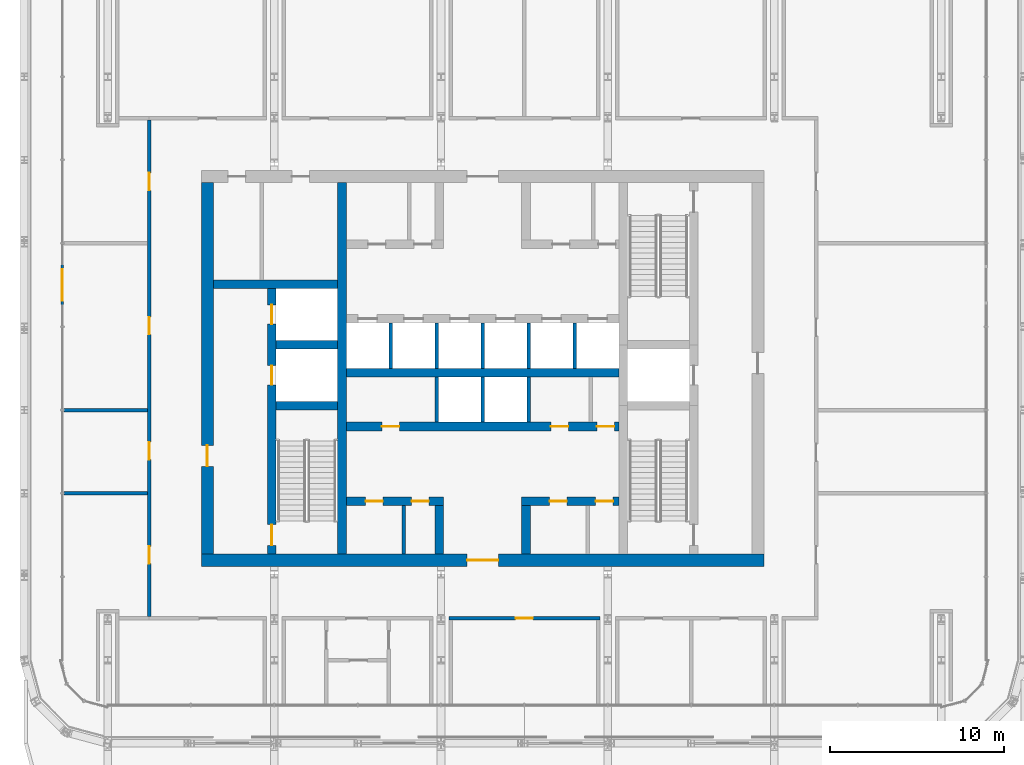
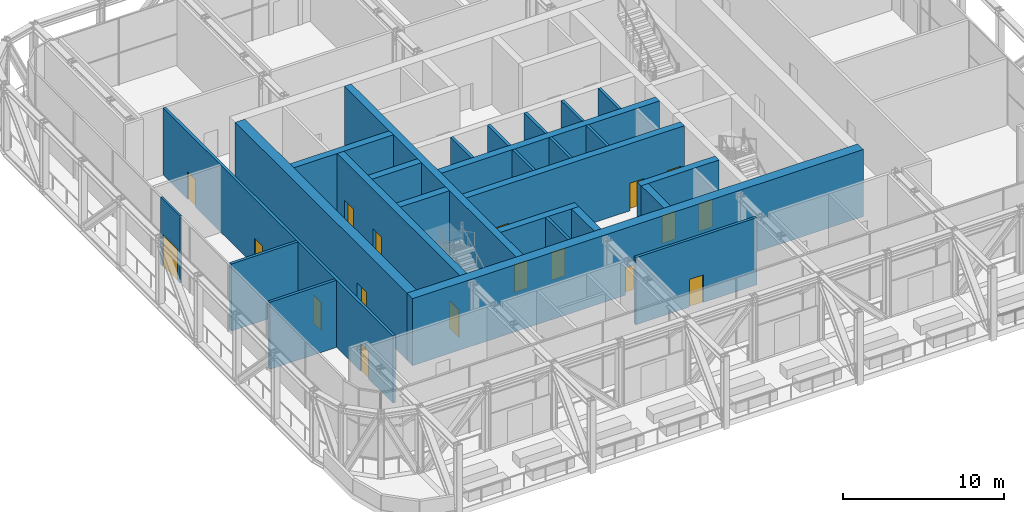
# One storey, part 14 of 22: 27 walls, 18 doors, 18 openings.
"""IFC4 building model written with IfcOpenShell, lengths in metres."""

import ifcopenshell
import ifcopenshell.guid

model = None  # the IFC model being written
_history = None  # IfcOwnerHistory: only IFC2X3 demands one
_inside = {}  # id of a spatial element -> (the spatial element, [elements in it])
_under = {}  # id of a project, library or spatial element -> (it, [spatial elements below it])
_declared = {}  # id of a project -> (the project, [libraries it declares])
_typed = {}  # id of a type object -> (the type object, [elements of that type])
_made_of = {}  # id of a material, layer set ... -> (it, [elements and type objects made of it])


def new_model(schema):
    """Start an empty IFC model of exactly this schema.

    Asked for "IFC4X3", IfcOpenShell would pick the latest addendum, in which some entities
    have other attributes; the version numbers below select the first issue.
    IFC2X3 requires an IfcOwnerHistory on every rooted entity: one is made here for all.
    """
    global model, _history
    if schema == "IFC4X3":
        model = ifcopenshell.file(schema_version=(4, 3, 0, 0))
    else:
        model = ifcopenshell.file(schema=schema)
    _inside.clear()
    _under.clear()
    _declared.clear()
    _typed.clear()
    _made_of.clear()
    _history = None
    if model.schema == "IFC2X3":
        org = make("IfcOrganization", Name="unknown")
        user = make(
            "IfcPersonAndOrganization",
            ThePerson=make("IfcPerson", FamilyName="unknown"),
            TheOrganization=org,
        )
        app = make(
            "IfcApplication",
            ApplicationDeveloper=org,
            Version="unknown",
            ApplicationFullName="unknown",
            ApplicationIdentifier="unknown",
        )
        _history = make(
            "IfcOwnerHistory",
            OwningUser=user,
            OwningApplication=app,
            ChangeAction="ADDED",
            CreationDate=0,
        )
    return model


def make(cls, **values):
    """One entity of the class cls with the attributes given. An attribute that is None is left unset."""
    return model.create_entity(
        cls, **{name: value for name, value in values.items() if value is not None}
    )


def rooted(cls, **values):
    """An entity with a GlobalId (a new one), such as an element, a storey or a relation."""
    return make(cls, GlobalId=ifcopenshell.guid.new(), OwnerHistory=_history, **values)


def si_unit(unit_type, name, prefix=None):
    """IfcSIUnit, for example si_unit("LENGTHUNIT", "METRE", prefix="MILLI")."""
    return make("IfcSIUnit", UnitType=unit_type, Prefix=prefix, Name=name)


def assignment(units):
    """IfcUnitAssignment: the units of a project."""
    return None if units is None else make("IfcUnitAssignment", Units=units)


def point(xyz):
    """IfcCartesianPoint."""
    return None if xyz is None else make("IfcCartesianPoint", Coordinates=xyz)


def direction(xyz):
    """IfcDirection."""
    return None if xyz is None else make("IfcDirection", DirectionRatios=xyz)


def frame(location, z_axis=None, x_axis=None):
    """IfcAxis2Placement3D, a coordinate frame: its origin and axes. An axis left out is left unset."""
    return make(
        "IfcAxis2Placement3D",
        Location=point(location),
        Axis=direction(z_axis),
        RefDirection=direction(x_axis),
    )


def frame_2d(location, x_axis=None):
    """IfcAxis2Placement2D, a coordinate frame in the plane: its origin and x axis."""
    return make(
        "IfcAxis2Placement2D", Location=point(location), RefDirection=direction(x_axis)
    )


def origin():
    """The frame at (0, 0, 0) with its axes left unset."""
    return frame((0.0, 0.0, 0.0))


def place(relative_to, where):
    """IfcLocalPlacement: puts the frame where relative to a parent placement (None: the world)."""
    return make(
        "IfcLocalPlacement", PlacementRelTo=relative_to, RelativePlacement=where
    )


def context(
    kind, dimensions, precision=None, world=None, true_north=None, identifier=None
):
    """IfcGeometricRepresentationContext, for example the 3D "Model" context."""
    return make(
        "IfcGeometricRepresentationContext",
        ContextIdentifier=identifier,
        ContextType=kind,
        CoordinateSpaceDimension=dimensions,
        Precision=precision,
        WorldCoordinateSystem=world,
        TrueNorth=true_north,
    )


def subcontext(parent, identifier, kind, view, scale=None):
    """IfcGeometricRepresentationSubContext, for example "Body" below "Model"."""
    return make(
        "IfcGeometricRepresentationSubContext",
        ContextIdentifier=identifier,
        ContextType=kind,
        ParentContext=parent,
        TargetScale=scale,
        TargetView=view,
    )


def project(units=None, contexts=None):
    """IfcProject with its units and contexts."""
    return rooted(
        "IfcProject",
        Name="project",
        RepresentationContexts=contexts,
        UnitsInContext=assignment(units),
    )


def spatial(cls, under=None, at=None, **own):
    """A site, building, storey or space (cls), placed at a placement, below another one or the project."""
    s = rooted(cls, ObjectPlacement=at, **own)
    if under is not None:
        _under.setdefault(under.id(), (under, []))[1].append(s)
    return s


def profile(cls, at=None, kind="AREA", **sizes):
    """A parametric profile (cls). Its sizes go by their IFC names, for example OverallWidth=200.0."""
    return make(cls, ProfileType=kind, Position=at, **sizes)


def rectangle(**sizes):
    """IfcRectangleProfileDef."""
    return profile("IfcRectangleProfileDef", **sizes)


def extrude(swept, where, along, depth):
    """IfcExtrudedAreaSolid: the profile swept, set in the frame where, extruded along a direction by depth."""
    return make(
        "IfcExtrudedAreaSolid",
        SweptArea=swept,
        Position=where,
        ExtrudedDirection=direction(along),
        Depth=depth,
    )


def shape(context_of_items, identifier, shape_type, items):
    """IfcShapeRepresentation: the items that make up one representation, for example the "Body"."""
    return make(
        "IfcShapeRepresentation",
        ContextOfItems=context_of_items,
        RepresentationIdentifier=identifier,
        RepresentationType=shape_type,
        Items=items,
    )


def material(Name=None, Category=None):
    """IfcMaterial."""
    return make("IfcMaterial", Name=Name, Category=Category)


def layer(
    of_material, thickness, ventilated=None, Name=None, Category=None, Priority=None
):
    """IfcMaterialLayer: one layer of a wall or slab, of a material (None: an air gap)."""
    return make(
        "IfcMaterialLayer",
        Material=of_material,
        LayerThickness=thickness,
        IsVentilated=ventilated,
        Name=Name,
        Category=Category,
        Priority=Priority,
    )


def layer_set(layers, Name=None):
    """IfcMaterialLayerSet."""
    return make("IfcMaterialLayerSet", MaterialLayers=layers, LayerSetName=Name)


def made_of(thing, what):
    """Note that an element or type object is made of a material, layer set ...; save() writes the relation."""
    if what is not None:
        _made_of.setdefault(what.id(), (what, []))[1].append(thing)
    return thing


def type_object(cls, material=None, **own):
    """A type object (cls), such as IfcWallType, which elements share."""
    return made_of(rooted(cls, **own), material)


def element(
    cls,
    number,
    at=None,
    inside=None,
    cuts=None,
    type_object=None,
    material=None,
    context=None,
    identifier="Body",
    shape_type=None,
    held_by="IfcProductDefinitionShape",
    body=None,
    shapes=None,
    **own,
):
    """One element of the class cls, such as IfcWall. Its Tag is "e" and its number.

    at: its placement. inside: the storey or other place that contains it. cuts: it is an
    opening in that element (IfcRelVoidsElement). A single representation is given by context,
    identifier, shape_type and body (its items); several are given by shapes. held_by: the class
    of the entity that holds the representations. save() writes the other relations.
    """
    e = rooted(cls, Tag="e%d" % number, ObjectPlacement=at, **own)
    if body is not None:
        shapes = [shape(context, identifier, shape_type, body)]
    if shapes is not None:
        e.Representation = make(held_by, Representations=shapes)
    if inside is not None:
        _inside.setdefault(inside.id(), (inside, []))[1].append(e)
    if cuts is not None:
        rooted(
            "IfcRelVoidsElement", RelatingBuildingElement=cuts, RelatedOpeningElement=e
        )
    if type_object is not None:
        _typed.setdefault(type_object.id(), (type_object, []))[1].append(e)
    return made_of(e, material)


def fill(opening, filler):
    """IfcRelFillsElement: the door or window that sits in an opening."""
    return rooted(
        "IfcRelFillsElement",
        RelatingOpeningElement=opening,
        RelatedBuildingElement=filler,
    )


def aggregate(whole, parts):
    """IfcRelAggregates: a whole, such as a stair, and the parts it consists of."""
    return rooted("IfcRelAggregates", RelatingObject=whole, RelatedObjects=parts)


def save(model, path):
    """Write the relations noted so far, then the file.

    IfcRelAggregates (storeys below a building ...), IfcRelContainedInSpatialStructure (elements
    in a storey), IfcRelDefinesByType, IfcRelAssociatesMaterial and IfcRelDeclares: one each for
    every whole, place, type object, material and project.
    """
    for whole, parts in _under.values():
        aggregate(whole, parts)
    for where, things in _inside.values():
        rooted(
            "IfcRelContainedInSpatialStructure",
            RelatedElements=things,
            RelatingStructure=where,
        )
    for kind, things in _typed.values():
        rooted("IfcRelDefinesByType", RelatedObjects=things, RelatingType=kind)
    for what, things in _made_of.values():
        rooted("IfcRelAssociatesMaterial", RelatedObjects=things, RelatingMaterial=what)
    for by, libraries in _declared.values():
        rooted("IfcRelDeclares", RelatingContext=by, RelatedDefinitions=libraries)
    model.write(path)


model = new_model("IFC4")

# Units and contexts
model_context = context("Model", 3, precision=1e-05, world=origin(), true_north=direction((0.0, 1.0)))
body_context = subcontext(model_context, "Body", "Model", "MODEL_VIEW")
ifc_project = project(units=[si_unit("LENGTHUNIT", "METRE"), si_unit("AREAUNIT", "SQUARE_METRE"), si_unit("VOLUMEUNIT", "CUBIC_METRE"), si_unit("PLANEANGLEUNIT", "RADIAN"), si_unit("MASSUNIT", "GRAM", prefix="KILO")], contexts=[model_context])

# Site, building, storey
site_placement = place(None, origin())
site = spatial("IfcSite", under=ifc_project, at=site_placement, CompositionType="ELEMENT")
building_placement = place(site_placement, origin())
building = spatial("IfcBuilding", under=site, at=building_placement, Name="Madar Terraces", CompositionType="ELEMENT")
storey_placement = place(building_placement, frame((0.0, 0.0, 203.39990234375)))
storey = spatial("IfcBuildingStorey", under=building, at=storey_placement, Name="L53", CompositionType="ELEMENT", Elevation=203.39990234375)

# Wall, openings, doors
ifc_material_1 = material(Name="Concrete C60/75", Category="concrete")
ifc_layer_1 = layer(ifc_material_1, 0.5)
ifc_layer_set_1 = layer_set([ifc_layer_1], Name="Concrete C60/75 (CIW4 RC wall 500)")
wall_type_1 = type_object("IfcWallType", Name="CIW4 RC wall 500", PredefinedType="SHEAR", material=ifc_layer_set_1)
wall_1_placement = place(storey_placement, frame((19.050048828125, 15.699951171875, 0.0), z_axis=(0.0, 0.0, 1.0), x_axis=(0.0, 1.0, 0.0)))
wall_1 = element("IfcWall", 1, at=wall_1_placement, inside=storey, type_object=wall_type_1, Name="CORE SHAFT WALL", PredefinedType="SHEAR", context=body_context, shape_type="SweptSolid", body=[
    extrude(rectangle(XDim=15.300048828125, YDim=0.5, at=frame_2d((7.64990234375, 0.0))), origin(), (0.0, 0.0, 1.0), 5.10009765625),
])
opening_1_placement = place(wall_1_placement, frame((9.75, 0.0, 0.0)))
opening_1 = element("IfcOpeningElement", 2, at=opening_1_placement, cuts=wall_1, Name="Opening LD", PredefinedType="OPENING", context=body_context, shape_type="SweptSolid", body=[
    extrude(rectangle(XDim=1.10009765625, YDim=2.10009765625, at=frame_2d((0.550048828125, 1.050048828125))), frame((0.0, 0.260009765625, 0.0), z_axis=(0.0, -1.0, 0.0), x_axis=(1.0, 0.0, 0.0)), (0.0, 0.0, 1.0), 0.52001953125),
])
opening_2_placement = place(wall_1_placement, frame((13.25, 0.0, 0.0)))
opening_2 = element("IfcOpeningElement", 3, at=opening_2_placement, cuts=wall_1, Name="Opening LD", PredefinedType="OPENING", context=body_context, shape_type="SweptSolid", body=[
    extrude(rectangle(XDim=1.10009765625, YDim=2.10009765625, at=frame_2d((0.550048828125, 1.050048828125))), frame((0.0, 0.260009765625, 0.0), z_axis=(0.0, -1.0, 0.0), x_axis=(1.0, 0.0, 0.0)), (0.0, 0.0, 1.0), 0.52001953125),
])
opening_3_placement = place(wall_1_placement, frame((0.5, 0.0, 0.0)))
opening_3 = element("IfcOpeningElement", 4, at=opening_3_placement, cuts=wall_1, Name="Opening SD1", PredefinedType="OPENING", context=body_context, shape_type="SweptSolid", body=[
    extrude(rectangle(XDim=1.199951171875, YDim=2.10009765625, at=frame_2d((0.60009765625, 1.050048828125))), frame((0.0, 0.260009765625, 0.0), z_axis=(0.0, -1.0, 0.0), x_axis=(1.0, 0.0, 0.0)), (0.0, 0.0, 1.0), 0.52001953125),
])
ifc_material_2 = material(Name="Stainless steel panel", Category="steel")
door_type_1 = type_object("IfcDoorType", Name="Lift landing door 1100 x 2100", OperationType="DOUBLE_DOOR_SLIDING", PredefinedType="DOOR", material=ifc_material_2)
door_1_placement = place(opening_1_placement, origin())
door_1 = element("IfcDoor", 5, at=door_1_placement, inside=storey, type_object=door_type_1, Name="LIFT LANDING DOOR", OperationType="DOUBLE_DOOR_SLIDING", OverallHeight=2.10009765625, OverallWidth=1.10009765625, PredefinedType="DOOR", context=body_context, shape_type="SweptSolid", body=[
    extrude(rectangle(XDim=1.10009765625, YDim=2.10009765625, at=frame_2d((0.550048828125, 1.050048828125))), frame((0.0, 0.02490234375, 0.0), z_axis=(0.0, -1.0, 0.0), x_axis=(1.0, 0.0, 0.0)), (0.0, 0.0, 1.0), 0.050048828125),
])
fill(opening_1, door_1)
door_2_placement = place(opening_2_placement, origin())
door_2 = element("IfcDoor", 6, at=door_2_placement, inside=storey, type_object=door_type_1, Name="LIFT LANDING DOOR", OperationType="DOUBLE_DOOR_SLIDING", OverallHeight=2.10009765625, OverallWidth=1.10009765625, PredefinedType="DOOR", context=body_context, shape_type="SweptSolid", body=[
    extrude(rectangle(XDim=1.10009765625, YDim=2.10009765625, at=frame_2d((0.550048828125, 1.050048828125))), frame((0.0, 0.02490234375, 0.0), z_axis=(0.0, -1.0, 0.0), x_axis=(1.0, 0.0, 0.0)), (0.0, 0.0, 1.0), 0.050048828125),
])
fill(opening_2, door_2)
ifc_material_3 = material(Name="Steel door leaf", Category="steel")
door_type_2 = type_object("IfcDoorType", Name="Stair door 1200 x 2100", OperationType="NOTDEFINED", PredefinedType="DOOR", material=ifc_material_3)
door_3_placement = place(opening_3_placement, frame((1.199951171875, 0.0, 0.0), z_axis=(0.0, 0.0, 1.0), x_axis=(-1.0, 0.0, 0.0)))
door_3 = element("IfcDoor", 7, at=door_3_placement, inside=storey, type_object=door_type_2, Name="STAIR DOOR", OperationType="SINGLE_SWING_LEFT", OverallHeight=2.10009765625, OverallWidth=1.199951171875, PredefinedType="DOOR", context=body_context, shape_type="SweptSolid", body=[
    extrude(rectangle(XDim=1.199951171875, YDim=2.10009765625, at=frame_2d((0.60009765625, 1.050048828125))), frame((0.0, 0.02490234375, 0.0), z_axis=(0.0, -1.0, 0.0), x_axis=(1.0, 0.0, 0.0)), (0.0, 0.0, 1.0), 0.050048828125),
])
fill(opening_3, door_3)

# Walls
wall_2_placement = place(storey_placement, frame((23.10009765625, 15.699951171875, 0.0), z_axis=(0.0, 0.0, 1.0), x_axis=(0.0, 1.0, 0.0)))
element("IfcWall", 8, at=wall_2_placement, inside=storey, type_object=wall_type_1, Name="CORE SHAFT WALL", PredefinedType="SHEAR", context=body_context, shape_type="SweptSolid", body=[
    extrude(rectangle(XDim=21.400146484375, YDim=0.5, at=frame_2d((10.7001953125, 0.0))), origin(), (0.0, 0.0, 1.0), 5.10009765625),
])
for number, where, z_axis, x_axis, name in (
    (9, (19.300048828125, 24.25, 0.0), (0.0, 0.0, 1.0), (1.0, 0.0, 0.0), "CORE SHAFT WALL"),
    (10, (19.300048828125, 27.75, 0.0), (0.0, 0.0, 1.0), (1.0, 0.0, 0.0), "CORE SHAFT WALL"),
):
    element("IfcWall", number, at=place(storey_placement, frame(where, z_axis=z_axis, x_axis=x_axis)), inside=storey, type_object=wall_type_1, Name=name, PredefinedType="SHEAR", context=body_context, shape_type="SweptSolid", body=[
        extrude(rectangle(XDim=3.550048828125, YDim=0.5, at=frame_2d((1.77490234375, 0.0))), origin(), (0.0, 0.0, 1.0), 5.10009765625),
    ])
wall_3_placement = place(storey_placement, frame((15.699951171875, 31.25, 0.0), z_axis=(0.0, 0.0, 1.0), x_axis=(1.0, 0.0, 0.0)))
element("IfcWall", 11, at=wall_3_placement, inside=storey, type_object=wall_type_1, Name="CORE SHAFT WALL", PredefinedType="SHEAR", context=body_context, shape_type="SweptSolid", body=[
    extrude(rectangle(XDim=7.150146484375, YDim=0.5, at=frame_2d((3.5751953125, 0.0))), origin(), (0.0, 0.0, 1.0), 5.10009765625),
])

# Wall, openings, doors
wall_4_placement = place(storey_placement, frame((23.35009765625, 18.75, 0.0), z_axis=(0.0, 0.0, 1.0), x_axis=(1.0, 0.0, 0.0)))
wall_4 = element("IfcWall", 12, at=wall_4_placement, inside=storey, type_object=wall_type_1, Name="CORE SHAFT WALL", PredefinedType="SHEAR", context=body_context, shape_type="SweptSolid", body=[
    extrude(rectangle(XDim=5.599853515625, YDim=0.5, at=frame_2d((2.7998046875, 0.0))), origin(), (0.0, 0.0, 1.0), 5.10009765625),
])
opening_4_placement = place(wall_4_placement, frame((1.107421875, 0.0, 0.0)))
opening_4 = element("IfcOpeningElement", 13, at=opening_4_placement, cuts=wall_4, Name="Opening KD2", PredefinedType="OPENING", context=body_context, shape_type="SweptSolid", body=[
    extrude(rectangle(XDim=1.0, YDim=2.10009765625, at=frame_2d((0.5, 1.050048828125))), frame((0.0, 0.260009765625, 0.0), z_axis=(0.0, -1.0, 0.0), x_axis=(1.0, 0.0, 0.0)), (0.0, 0.0, 1.0), 0.52001953125),
])
opening_5_placement = place(wall_4_placement, frame((3.757568359375, 0.0, 0.0)))
opening_5 = element("IfcOpeningElement", 14, at=opening_5_placement, cuts=wall_4, Name="Opening KD2", PredefinedType="OPENING", context=body_context, shape_type="SweptSolid", body=[
    extrude(rectangle(XDim=1.0, YDim=2.10009765625, at=frame_2d((0.5, 1.050048828125))), frame((0.0, 0.260009765625, 0.0), z_axis=(0.0, -1.0, 0.0), x_axis=(1.0, 0.0, 0.0)), (0.0, 0.0, 1.0), 0.52001953125),
])
ifc_material_4 = material(Name="Steel door leaf", Category="steel")
door_type_3 = type_object("IfcDoorType", Name="Service room door 1000 x 2100", OperationType="NOTDEFINED", PredefinedType="DOOR", material=ifc_material_4)
door_4_placement = place(opening_4_placement, origin())
door_4 = element("IfcDoor", 15, at=door_4_placement, inside=storey, type_object=door_type_3, Name="SERVICE ROOM DOOR", OperationType="SINGLE_SWING_LEFT", OverallHeight=2.10009765625, OverallWidth=1.0, PredefinedType="DOOR", context=body_context, shape_type="SweptSolid", body=[
    extrude(rectangle(XDim=1.0, YDim=2.10009765625, at=frame_2d((0.5, 1.050048828125))), frame((0.0, 0.02490234375, 0.0), z_axis=(0.0, -1.0, 0.0), x_axis=(1.0, 0.0, 0.0)), (0.0, 0.0, 1.0), 0.050048828125),
])
fill(opening_4, door_4)
door_5_placement = place(opening_5_placement, origin())
door_5 = element("IfcDoor", 16, at=door_5_placement, inside=storey, type_object=door_type_3, Name="SERVICE ROOM DOOR", OperationType="SINGLE_SWING_RIGHT", OverallHeight=2.10009765625, OverallWidth=1.0, PredefinedType="DOOR", context=body_context, shape_type="SweptSolid", body=[
    extrude(rectangle(XDim=1.0, YDim=2.10009765625, at=frame_2d((0.5, 1.050048828125))), frame((0.0, 0.02490234375, 0.0), z_axis=(0.0, -1.0, 0.0), x_axis=(1.0, 0.0, 0.0)), (0.0, 0.0, 1.0), 0.050048828125),
])
fill(opening_5, door_5)

wall_5_placement = place(storey_placement, frame((33.449951171875, 18.75, 0.0), z_axis=(0.0, 0.0, 1.0), x_axis=(1.0, 0.0, 0.0)))
wall_5 = element("IfcWall", 17, at=wall_5_placement, inside=storey, type_object=wall_type_1, Name="CORE SHAFT WALL", PredefinedType="SHEAR", context=body_context, shape_type="SweptSolid", body=[
    extrude(rectangle(XDim=5.60009765625, YDim=0.5, at=frame_2d((2.800048828125, 0.0))), origin(), (0.0, 0.0, 1.0), 5.10009765625),
])
opening_6_placement = place(wall_5_placement, frame((1.607421875, 0.0, 0.0)))
opening_6 = element("IfcOpeningElement", 18, at=opening_6_placement, cuts=wall_5, Name="Opening KD2", PredefinedType="OPENING", context=body_context, shape_type="SweptSolid", body=[
    extrude(rectangle(XDim=1.0, YDim=2.10009765625, at=frame_2d((0.5, 1.050048828125))), frame((0.0, 0.260009765625, 0.0), z_axis=(0.0, -1.0, 0.0), x_axis=(1.0, 0.0, 0.0)), (0.0, 0.0, 1.0), 0.52001953125),
])
opening_7_placement = place(wall_5_placement, frame((4.257568359375, 0.0, 0.0)))
opening_7 = element("IfcOpeningElement", 19, at=opening_7_placement, cuts=wall_5, Name="Opening KD2", PredefinedType="OPENING", context=body_context, shape_type="SweptSolid", body=[
    extrude(rectangle(XDim=1.0, YDim=2.10009765625, at=frame_2d((0.5, 1.050048828125))), frame((0.0, 0.260009765625, 0.0), z_axis=(0.0, -1.0, 0.0), x_axis=(1.0, 0.0, 0.0)), (0.0, 0.0, 1.0), 0.52001953125),
])
door_6_placement = place(opening_6_placement, origin())
door_6 = element("IfcDoor", 20, at=door_6_placement, inside=storey, type_object=door_type_3, Name="SERVICE ROOM DOOR", OperationType="SINGLE_SWING_LEFT", OverallHeight=2.10009765625, OverallWidth=1.0, PredefinedType="DOOR", context=body_context, shape_type="SweptSolid", body=[
    extrude(rectangle(XDim=1.0, YDim=2.10009765625, at=frame_2d((0.5, 1.050048828125))), frame((0.0, 0.02490234375, 0.0), z_axis=(0.0, -1.0, 0.0), x_axis=(1.0, 0.0, 0.0)), (0.0, 0.0, 1.0), 0.050048828125),
])
fill(opening_6, door_6)
door_7_placement = place(opening_7_placement, origin())
door_7 = element("IfcDoor", 21, at=door_7_placement, inside=storey, type_object=door_type_3, Name="SERVICE ROOM DOOR", OperationType="SINGLE_SWING_RIGHT", OverallHeight=2.10009765625, OverallWidth=1.0, PredefinedType="DOOR", context=body_context, shape_type="SweptSolid", body=[
    extrude(rectangle(XDim=1.0, YDim=2.10009765625, at=frame_2d((0.5, 1.050048828125))), frame((0.0, 0.02490234375, 0.0), z_axis=(0.0, -1.0, 0.0), x_axis=(1.0, 0.0, 0.0)), (0.0, 0.0, 1.0), 0.050048828125),
])
fill(opening_7, door_7)

wall_6_placement = place(storey_placement, frame((23.35009765625, 23.050048828125, 0.0), z_axis=(0.0, 0.0, 1.0), x_axis=(1.0, 0.0, 0.0)))
wall_6 = element("IfcWall", 22, at=wall_6_placement, inside=storey, type_object=wall_type_1, Name="CORE SHAFT WALL", PredefinedType="SHEAR", context=body_context, shape_type="SweptSolid", body=[
    extrude(rectangle(XDim=15.699951171875, YDim=0.5, at=frame_2d((7.85009765625, 0.0))), origin(), (0.0, 0.0, 1.0), 5.10009765625),
])
opening_8_placement = place(wall_6_placement, frame((2.050048828125, 0.0, 0.0)))
opening_8 = element("IfcOpeningElement", 23, at=opening_8_placement, cuts=wall_6, Name="Opening KD2", PredefinedType="OPENING", context=body_context, shape_type="SweptSolid", body=[
    extrude(rectangle(XDim=1.0, YDim=2.10009765625, at=frame_2d((0.5, 1.050048828125))), frame((0.0, 0.260009765625, 0.0), z_axis=(0.0, -1.0, 0.0), x_axis=(1.0, 0.0, 0.0)), (0.0, 0.0, 1.0), 0.52001953125),
])
opening_9_placement = place(wall_6_placement, frame((11.783935546875, 0.0, 0.0)))
opening_9 = element("IfcOpeningElement", 24, at=opening_9_placement, cuts=wall_6, Name="Opening KD2", PredefinedType="OPENING", context=body_context, shape_type="SweptSolid", body=[
    extrude(rectangle(XDim=1.0, YDim=2.10009765625, at=frame_2d((0.5, 1.050048828125))), frame((0.0, 0.260009765625, 0.0), z_axis=(0.0, -1.0, 0.0), x_axis=(1.0, 0.0, 0.0)), (0.0, 0.0, 1.0), 0.52001953125),
])
opening_10_placement = place(wall_6_placement, frame((14.43408203125, 0.0, 0.0)))
opening_10 = element("IfcOpeningElement", 25, at=opening_10_placement, cuts=wall_6, Name="Opening KD2", PredefinedType="OPENING", context=body_context, shape_type="SweptSolid", body=[
    extrude(rectangle(XDim=1.0, YDim=2.10009765625, at=frame_2d((0.5, 1.050048828125))), frame((0.0, 0.260009765625, 0.0), z_axis=(0.0, -1.0, 0.0), x_axis=(1.0, 0.0, 0.0)), (0.0, 0.0, 1.0), 0.52001953125),
])
door_8_placement = place(opening_8_placement, frame((1.0, 0.0, 0.0), z_axis=(0.0, 0.0, 1.0), x_axis=(-1.0, 0.0, 0.0)))
door_8 = element("IfcDoor", 26, at=door_8_placement, inside=storey, type_object=door_type_3, Name="SERVICE ROOM DOOR", OperationType="SINGLE_SWING_RIGHT", OverallHeight=2.10009765625, OverallWidth=1.0, PredefinedType="DOOR", context=body_context, shape_type="SweptSolid", body=[
    extrude(rectangle(XDim=1.0, YDim=2.10009765625, at=frame_2d((0.5, 1.050048828125))), frame((0.0, 0.02490234375, 0.0), z_axis=(0.0, -1.0, 0.0), x_axis=(1.0, 0.0, 0.0)), (0.0, 0.0, 1.0), 0.050048828125),
])
fill(opening_8, door_8)
door_9_placement = place(opening_9_placement, frame((1.0, 0.0, 0.0), z_axis=(0.0, 0.0, 1.0), x_axis=(-1.0, 0.0, 0.0)))
door_9 = element("IfcDoor", 27, at=door_9_placement, inside=storey, type_object=door_type_3, Name="SERVICE ROOM DOOR", OperationType="SINGLE_SWING_LEFT", OverallHeight=2.10009765625, OverallWidth=1.0, PredefinedType="DOOR", context=body_context, shape_type="SweptSolid", body=[
    extrude(rectangle(XDim=1.0, YDim=2.10009765625, at=frame_2d((0.5, 1.050048828125))), frame((0.0, 0.02490234375, 0.0), z_axis=(0.0, -1.0, 0.0), x_axis=(1.0, 0.0, 0.0)), (0.0, 0.0, 1.0), 0.050048828125),
])
fill(opening_9, door_9)
door_10_placement = place(opening_10_placement, frame((1.0, 0.0, 0.0), z_axis=(0.0, 0.0, 1.0), x_axis=(-1.0, 0.0, 0.0)))
door_10 = element("IfcDoor", 28, at=door_10_placement, inside=storey, type_object=door_type_3, Name="SERVICE ROOM DOOR", OperationType="SINGLE_SWING_RIGHT", OverallHeight=2.10009765625, OverallWidth=1.0, PredefinedType="DOOR", context=body_context, shape_type="SweptSolid", body=[
    extrude(rectangle(XDim=1.0, YDim=2.10009765625, at=frame_2d((0.5, 1.050048828125))), frame((0.0, 0.02490234375, 0.0), z_axis=(0.0, -1.0, 0.0), x_axis=(1.0, 0.0, 0.0)), (0.0, 0.0, 1.0), 0.050048828125),
])
fill(opening_10, door_10)

# Walls
wall_7_placement = place(storey_placement, frame((23.35009765625, 26.14990234375, 0.0), z_axis=(0.0, 0.0, 1.0), x_axis=(1.0, 0.0, 0.0)))
element("IfcWall", 29, at=wall_7_placement, inside=storey, type_object=wall_type_1, Name="CORE SHAFT WALL", PredefinedType="SHEAR", context=body_context, shape_type="SweptSolid", body=[
    extrude(rectangle(XDim=15.699951171875, YDim=0.5, at=frame_2d((7.85009765625, 0.0))), origin(), (0.0, 0.0, 1.0), 5.10009765625),
])
for number, where, z_axis, x_axis, name in (
    (30, (28.699951171875, 15.699951171875, 0.0), (0.0, 0.0, 1.0), (0.0, 1.0, 0.0), "CORE SHAFT WALL"),
    (31, (33.699951171875, 15.699951171875, 0.0), (0.0, 0.0, 1.0), (0.0, 1.0, 0.0), "CORE SHAFT WALL"),
):
    element("IfcWall", number, at=place(storey_placement, frame(where, z_axis=z_axis, x_axis=x_axis)), inside=storey, type_object=wall_type_1, Name=name, PredefinedType="SHEAR", context=body_context, shape_type="SweptSolid", body=[
        extrude(rectangle(XDim=2.800048828125, YDim=0.5, at=frame_2d((1.39990234375, 0.0))), origin(), (0.0, 0.0, 1.0), 5.10009765625),
    ])

# Wall, opening, door
ifc_material_5 = material(Name="Concrete C60/75", Category="concrete")
ifc_layer_2 = layer(ifc_material_5, 0.699951171875)
ifc_layer_set_2 = layer_set([ifc_layer_2], Name="Concrete C60/75 (CRW4 RC wall 700)")
wall_type_2 = type_object("IfcWallType", Name="CRW4 RC wall 700", PredefinedType="SHEAR", material=ifc_layer_set_2)
wall_8_placement = place(storey_placement, frame((15.0, 15.35009765625, 0.0), z_axis=(0.0, 0.0, 1.0), x_axis=(1.0, 0.0, 0.0)))
wall_8 = element("IfcWall", 32, at=wall_8_placement, inside=storey, type_object=wall_type_2, Name="CORE OUTER WALL", PredefinedType="SHEAR", context=body_context, shape_type="SweptSolid", body=[
    extrude(rectangle(XDim=32.39990234375, YDim=0.699951171875, at=frame_2d((16.199951171875, 0.0))), origin(), (0.0, 0.0, 1.0), 5.10009765625),
])
opening_11_placement = place(wall_8_placement, frame((15.300048828125, 0.0, 0.0)))
opening_11 = element("IfcOpeningElement", 33, at=opening_11_placement, cuts=wall_8, Name="Opening KD1", PredefinedType="OPENING", context=body_context, shape_type="SweptSolid", body=[
    extrude(rectangle(XDim=1.800048828125, YDim=2.10009765625, at=frame_2d((0.89990234375, 1.050048828125))), frame((0.0, 0.35986328125, 0.0), z_axis=(0.0, -1.0, 0.0), x_axis=(1.0, 0.0, 0.0)), (0.0, 0.0, 1.0), 0.719970703125),
])
ifc_material_6 = material(Name="Steel door leaf", Category="steel")
door_type_4 = type_object("IfcDoorType", Name="Lobby door pair 1800 x 2100", OperationType="DOUBLE_DOOR_SINGLE_SWING", PredefinedType="DOOR", material=ifc_material_6)
door_11_placement = place(opening_11_placement, frame((1.800048828125, 0.0, 0.0), z_axis=(0.0, 0.0, 1.0), x_axis=(-1.0, 0.0, 0.0)))
door_11 = element("IfcDoor", 34, at=door_11_placement, inside=storey, type_object=door_type_4, Name="LIFT LOBBY DOOR", OperationType="DOUBLE_DOOR_SINGLE_SWING", OverallHeight=2.10009765625, OverallWidth=1.800048828125, PredefinedType="DOOR", context=body_context, shape_type="SweptSolid", body=[
    extrude(rectangle(XDim=1.800048828125, YDim=2.10009765625, at=frame_2d((0.89990234375, 1.050048828125))), frame((0.0, 0.02490234375, 0.0), z_axis=(0.0, -1.0, 0.0), x_axis=(1.0, 0.0, 0.0)), (0.0, 0.0, 1.0), 0.050048828125),
])
fill(opening_11, door_11)

wall_9_placement = place(storey_placement, frame((15.35009765625, 15.699951171875, 0.0), z_axis=(0.0, 0.0, 1.0), x_axis=(0.0, 1.0, 0.0)))
wall_9 = element("IfcWall", 35, at=wall_9_placement, inside=storey, type_object=wall_type_2, Name="CORE OUTER WALL", PredefinedType="SHEAR", context=body_context, shape_type="SweptSolid", body=[
    extrude(rectangle(XDim=21.400146484375, YDim=0.699951171875, at=frame_2d((10.7001953125, 0.0))), origin(), (0.0, 0.0, 1.0), 5.10009765625),
])
opening_12_placement = place(wall_9_placement, frame((5.06005859375, 0.0, 0.0)))
opening_12 = element("IfcOpeningElement", 36, at=opening_12_placement, cuts=wall_9, Name="Opening SD1", PredefinedType="OPENING", context=body_context, shape_type="SweptSolid", body=[
    extrude(rectangle(XDim=1.199951171875, YDim=2.10009765625, at=frame_2d((0.60009765625, 1.050048828125))), frame((0.0, 0.35986328125, 0.0), z_axis=(0.0, -1.0, 0.0), x_axis=(1.0, 0.0, 0.0)), (0.0, 0.0, 1.0), 0.719970703125),
])
door_12_placement = place(opening_12_placement, frame((1.199951171875, 0.0, 0.0), z_axis=(0.0, 0.0, 1.0), x_axis=(-1.0, 0.0, 0.0)))
door_12 = element("IfcDoor", 37, at=door_12_placement, inside=storey, type_object=door_type_2, Name="STAIR DOOR", OperationType="SINGLE_SWING_RIGHT", OverallHeight=2.10009765625, OverallWidth=1.199951171875, PredefinedType="DOOR", context=body_context, shape_type="SweptSolid", body=[
    extrude(rectangle(XDim=1.199951171875, YDim=2.10009765625, at=frame_2d((0.60009765625, 1.050048828125))), frame((0.0, 0.02490234375, 0.0), z_axis=(0.0, -1.0, 0.0), x_axis=(1.0, 0.0, 0.0)), (0.0, 0.0, 1.0), 0.050048828125),
])
fill(opening_12, door_12)

# Walls
ifc_material_7 = material(Name="Masonry blockwork", Category="masonry")
ifc_layer_3 = layer(ifc_material_7, 0.199951171875)
ifc_layer_set_3 = layer_set([ifc_layer_3], Name="Core partition 200 blockwork")
wall_type_3 = type_object("IfcWallType", Name="Core partition 200 blockwork", PredefinedType="PARTITIONING", material=ifc_layer_set_3)
wall_10_placement = place(storey_placement, frame((26.6650390625, 15.699951171875, 0.0), z_axis=(0.0, 0.0, 1.0), x_axis=(0.0, 1.0, 0.0)))
element("IfcWall", 38, at=wall_10_placement, inside=storey, type_object=wall_type_3, Name="SERVICE ROOM PARTITION", PredefinedType="PARTITIONING", context=body_context, shape_type="SweptSolid", body=[
    extrude(rectangle(XDim=2.800048828125, YDim=0.199951171875, at=frame_2d((1.39990234375, 0.0))), origin(), (0.0, 0.0, 1.0), 5.10009765625),
])
ifc_material_8 = material(Name="Concrete C40/50", Category="concrete")
ifc_layer_4 = layer(ifc_material_8, 0.199951171875)
ifc_layer_set_4 = layer_set([ifc_layer_4], Name="Core shaft dividing wall 200 C40/50")
wall_type_4 = type_object("IfcWallType", Name="Core shaft dividing wall 200 C40/50", PredefinedType="SOLIDWALL", material=ifc_layer_set_4)
wall_11_placement = place(storey_placement, frame((25.89990234375, 26.39990234375, 0.0), z_axis=(0.0, 0.0, 1.0), x_axis=(0.0, 1.0, 0.0)))
element("IfcWall", 39, at=wall_11_placement, inside=storey, type_object=wall_type_4, Name="SHAFT DIVIDING WALL", PredefinedType="SOLIDWALL", context=body_context, shape_type="SweptSolid", body=[
    extrude(rectangle(XDim=2.60009765625, YDim=0.199951171875, at=frame_2d((1.300048828125, 0.0))), origin(), (0.0, 0.0, 1.0), 5.10009765625),
])
wall_12_placement = place(storey_placement, frame((28.550048828125, 23.300048828125, 0.0), z_axis=(0.0, 0.0, 1.0), x_axis=(0.0, 1.0, 0.0)))
element("IfcWall", 40, at=wall_12_placement, inside=storey, type_object=wall_type_4, Name="SHAFT DIVIDING WALL", PredefinedType="SOLIDWALL", context=body_context, shape_type="SweptSolid", body=[
    extrude(rectangle(XDim=2.599853515625, YDim=0.199951171875, at=frame_2d((1.2998046875, 0.0))), origin(), (0.0, 0.0, 1.0), 5.10009765625),
])
wall_13_placement = place(storey_placement, frame((28.550048828125, 26.39990234375, 0.0), z_axis=(0.0, 0.0, 1.0), x_axis=(0.0, 1.0, 0.0)))
element("IfcWall", 41, at=wall_13_placement, inside=storey, type_object=wall_type_4, Name="SHAFT DIVIDING WALL", PredefinedType="SOLIDWALL", context=body_context, shape_type="SweptSolid", body=[
    extrude(rectangle(XDim=2.60009765625, YDim=0.199951171875, at=frame_2d((1.300048828125, 0.0))), origin(), (0.0, 0.0, 1.0), 5.10009765625),
])
wall_14_placement = place(storey_placement, frame((31.199951171875, 23.300048828125, 0.0), z_axis=(0.0, 0.0, 1.0), x_axis=(0.0, 1.0, 0.0)))
element("IfcWall", 42, at=wall_14_placement, inside=storey, type_object=wall_type_4, Name="SHAFT DIVIDING WALL", PredefinedType="SOLIDWALL", context=body_context, shape_type="SweptSolid", body=[
    extrude(rectangle(XDim=2.599853515625, YDim=0.199951171875, at=frame_2d((1.2998046875, 0.0))), origin(), (0.0, 0.0, 1.0), 5.10009765625),
])
wall_15_placement = place(storey_placement, frame((31.199951171875, 26.39990234375, 0.0), z_axis=(0.0, 0.0, 1.0), x_axis=(0.0, 1.0, 0.0)))
element("IfcWall", 43, at=wall_15_placement, inside=storey, type_object=wall_type_4, Name="SHAFT DIVIDING WALL", PredefinedType="SOLIDWALL", context=body_context, shape_type="SweptSolid", body=[
    extrude(rectangle(XDim=2.60009765625, YDim=0.199951171875, at=frame_2d((1.300048828125, 0.0))), origin(), (0.0, 0.0, 1.0), 5.10009765625),
])
wall_16_placement = place(storey_placement, frame((33.85009765625, 23.300048828125, 0.0), z_axis=(0.0, 0.0, 1.0), x_axis=(0.0, 1.0, 0.0)))
element("IfcWall", 44, at=wall_16_placement, inside=storey, type_object=wall_type_4, Name="SHAFT DIVIDING WALL", PredefinedType="SOLIDWALL", context=body_context, shape_type="SweptSolid", body=[
    extrude(rectangle(XDim=2.599853515625, YDim=0.199951171875, at=frame_2d((1.2998046875, 0.0))), origin(), (0.0, 0.0, 1.0), 5.10009765625),
])
for number, where, z_axis, x_axis, name in (
    (45, (33.85009765625, 26.39990234375, 0.0), (0.0, 0.0, 1.0), (0.0, 1.0, 0.0), "SHAFT DIVIDING WALL"),
    (46, (36.5, 26.39990234375, 0.0), (0.0, 0.0, 1.0), (0.0, 1.0, 0.0), "SHAFT DIVIDING WALL"),
):
    element("IfcWall", number, at=place(storey_placement, frame(where, z_axis=z_axis, x_axis=x_axis)), inside=storey, type_object=wall_type_4, Name=name, PredefinedType="SOLIDWALL", context=body_context, shape_type="SweptSolid", body=[
        extrude(rectangle(XDim=2.60009765625, YDim=0.199951171875, at=frame_2d((1.300048828125, 0.0))), origin(), (0.0, 0.0, 1.0), 5.10009765625),
    ])

# Wall, opening, door
ifc_material_9 = material(Name="Aluminium composite panel, black, over insulated backing", Category="aluminium")
ifc_layer_5 = layer(ifc_material_9, 0.14990234375)
ifc_layer_set_5 = layer_set([ifc_layer_5], Name="Facade bay panel 150")
wall_type_5 = type_object("IfcWallType", Name="Facade bay panel 150", PredefinedType="SOLIDWALL", material=ifc_layer_set_5)
wall_17_placement = place(storey_placement, frame((7.0, 32.39990234375, 0.0), z_axis=(0.0, 0.0, 1.0), x_axis=(0.0, -1.0, 0.0)))
wall_17 = element("IfcWall", 47, at=wall_17_placement, inside=storey, type_object=wall_type_5, Name="Facade bay panel", PredefinedType="SOLIDWALL", context=body_context, shape_type="SweptSolid", body=[
    extrude(rectangle(XDim=2.39990234375, YDim=0.14990234375, at=frame_2d((1.199951171875, 0.0))), origin(), (0.0, 0.0, 1.0), 5.10009765625),
])
opening_13_placement = place(wall_17_placement, frame((0.300048828125, 0.0, 0.0)))
opening_13 = element("IfcOpeningElement", 48, at=opening_13_placement, cuts=wall_17, Name="Opening ED1", PredefinedType="OPENING", context=body_context, shape_type="SweptSolid", body=[
    extrude(rectangle(XDim=1.800048828125, YDim=2.39990234375, at=frame_2d((0.89990234375, 1.199951171875))), frame((0.0, 0.0849609375, 0.0), z_axis=(0.0, -1.0, 0.0), x_axis=(1.0, 0.0, 0.0)), (0.0, 0.0, 1.0), 0.169921875),
])
ifc_material_10 = material(Name="Glass, clear, with black aluminium frame", Category="aluminium")
door_type_5 = type_object("IfcDoorType", Name="Balcony and terrace sliding door 1800 x 2400", OperationType="SLIDING_TO_LEFT", PredefinedType="DOOR", material=ifc_material_10)
door_13_placement = place(opening_13_placement, origin())
door_13 = element("IfcDoor", 49, at=door_13_placement, inside=storey, type_object=door_type_5, Name="Balcony door", OperationType="SLIDING_TO_LEFT", OverallHeight=2.39990234375, OverallWidth=1.800048828125, PredefinedType="DOOR", context=body_context, shape_type="SweptSolid", body=[
    extrude(rectangle(XDim=1.800048828125, YDim=2.39990234375, at=frame_2d((0.89990234375, 1.199951171875))), frame((0.0, 0.02490234375, 0.0), z_axis=(0.0, -1.0, 0.0), x_axis=(1.0, 0.0, 0.0)), (0.0, 0.0, 1.0), 0.050048828125),
])
fill(opening_13, door_13)

ifc_material_11 = material(Name="Gypsum board partition, fire-rated")
ifc_layer_6 = layer(ifc_material_11, 0.199951171875)
ifc_layer_set_6 = layer_set([ifc_layer_6], Name="Partition 200 EI 60")
wall_type_6 = type_object("IfcWallType", Name="Partition 200 EI 60", PredefinedType="PARTITIONING", material=ifc_layer_set_6)
wall_18_placement = place(storey_placement, frame((37.949951171875, 12.0, 0.0), z_axis=(0.0, 0.0, 1.0), x_axis=(-1.0, 0.0, 0.0)))
wall_18 = element("IfcWall", 50, at=wall_18_placement, inside=storey, type_object=wall_type_6, Name="Wall CLASSROOM / RING CORRIDOR", PredefinedType="PARTITIONING", context=body_context, shape_type="SweptSolid", body=[
    extrude(rectangle(XDim=8.699951171875, YDim=0.199951171875, at=frame_2d((4.35009765625, 0.0))), origin(), (0.0, 0.0, 1.0), 5.10009765625),
])
opening_14_placement = place(wall_18_placement, frame((3.85009765625, 0.0, 0.0)))
opening_14 = element("IfcOpeningElement", 51, at=opening_14_placement, cuts=wall_18, Name="Opening D31", PredefinedType="OPENING", context=body_context, shape_type="SweptSolid", body=[
    extrude(rectangle(XDim=1.0, YDim=2.10009765625, at=frame_2d((0.5, 1.050048828125))), frame((0.0, 0.10986328125, 0.0), z_axis=(0.0, -1.0, 0.0), x_axis=(1.0, 0.0, 0.0)), (0.0, 0.0, 1.0), 0.219970703125),
])
ifc_material_12 = material(Name="Timber door leaf, fire-rated", Category="wood")
door_type_6 = type_object("IfcDoorType", Name="Podium door 1000 x 2100 FD30S", OperationType="NOTDEFINED", PredefinedType="DOOR", material=ifc_material_12)
door_14_placement = place(opening_14_placement, origin())
door_14 = element("IfcDoor", 52, at=door_14_placement, inside=storey, type_object=door_type_6, Name="Door CLASSROOM / RING CORRIDOR", OperationType="SINGLE_SWING_LEFT", OverallHeight=2.10009765625, OverallWidth=1.0, PredefinedType="DOOR", context=body_context, shape_type="SweptSolid", body=[
    extrude(rectangle(XDim=1.0, YDim=2.10009765625, at=frame_2d((0.5, 1.050048828125))), frame((0.0, 0.02490234375, 0.0), z_axis=(0.0, -1.0, 0.0), x_axis=(1.0, 0.0, 0.0)), (0.0, 0.0, 1.0), 0.050048828125),
])
fill(opening_14, door_14)

# Walls
for number, where, z_axis, x_axis, name in (
    (53, (7.10009765625, 19.199951171875, 0.0), (0.0, 0.0, 1.0), (1.0, 0.0, 0.0), "Wall OFFICE / ART ROOM"),
    (54, (7.10009765625, 24.0, 0.0), (0.0, 0.0, 1.0), (1.0, 0.0, 0.0), "Wall ART ROOM / LIBRARY"),
):
    element("IfcWall", number, at=place(storey_placement, frame(where, z_axis=z_axis, x_axis=x_axis)), inside=storey, type_object=wall_type_6, Name=name, PredefinedType="PARTITIONING", context=body_context, shape_type="SweptSolid", body=[
        extrude(rectangle(XDim=4.7998046875, YDim=0.199951171875, at=frame_2d((2.39990234375, 0.0))), origin(), (0.0, 0.0, 1.0), 5.10009765625),
    ])

# Wall, openings, doors
wall_19_placement = place(storey_placement, frame((12.0, 12.10009765625, 0.0), z_axis=(0.0, 0.0, 1.0), x_axis=(0.0, 1.0, 0.0)))
wall_19 = element("IfcWall", 55, at=wall_19_placement, inside=storey, type_object=wall_type_6, Name="Wall ACTIVITY ROOM + ART ROOM", PredefinedType="PARTITIONING", context=body_context, shape_type="SweptSolid", body=[
    extrude(rectangle(XDim=28.599853515625, YDim=0.199951171875, at=frame_2d((14.2998046875, 0.0))), origin(), (0.0, 0.0, 1.0), 5.10009765625),
])
opening_15_placement = place(wall_19_placement, frame((3.050048828125, 0.0, 0.0)))
opening_15 = element("IfcOpeningElement", 56, at=opening_15_placement, cuts=wall_19, Name="Opening D31", PredefinedType="OPENING", context=body_context, shape_type="SweptSolid", body=[
    extrude(rectangle(XDim=1.0, YDim=2.10009765625, at=frame_2d((0.5, 1.050048828125))), frame((0.0, 0.10986328125, 0.0), z_axis=(0.0, -1.0, 0.0), x_axis=(1.0, 0.0, 0.0)), (0.0, 0.0, 1.0), 0.219970703125),
])
opening_16_placement = place(wall_19_placement, frame((9.050048828125, 0.0, 0.0)))
opening_16 = element("IfcOpeningElement", 57, at=opening_16_placement, cuts=wall_19, Name="Opening D31", PredefinedType="OPENING", context=body_context, shape_type="SweptSolid", body=[
    extrude(rectangle(XDim=1.0, YDim=2.10009765625, at=frame_2d((0.5, 1.050048828125))), frame((0.0, 0.10986328125, 0.0), z_axis=(0.0, -1.0, 0.0), x_axis=(1.0, 0.0, 0.0)), (0.0, 0.0, 1.0), 0.219970703125),
])
opening_17_placement = place(wall_19_placement, frame((16.25, 0.0, 0.0)))
opening_17 = element("IfcOpeningElement", 58, at=opening_17_placement, cuts=wall_19, Name="Opening D31", PredefinedType="OPENING", context=body_context, shape_type="SweptSolid", body=[
    extrude(rectangle(XDim=1.0, YDim=2.10009765625, at=frame_2d((0.5, 1.050048828125))), frame((0.0, 0.10986328125, 0.0), z_axis=(0.0, -1.0, 0.0), x_axis=(1.0, 0.0, 0.0)), (0.0, 0.0, 1.0), 0.219970703125),
])
opening_18_placement = place(wall_19_placement, frame((24.550048828125, 0.0, 0.0)))
opening_18 = element("IfcOpeningElement", 59, at=opening_18_placement, cuts=wall_19, Name="Opening D31", PredefinedType="OPENING", context=body_context, shape_type="SweptSolid", body=[
    extrude(rectangle(XDim=1.0, YDim=2.10009765625, at=frame_2d((0.5, 1.050048828125))), frame((0.0, 0.10986328125, 0.0), z_axis=(0.0, -1.0, 0.0), x_axis=(1.0, 0.0, 0.0)), (0.0, 0.0, 1.0), 0.219970703125),
])
door_15_placement = place(opening_15_placement, origin())
door_15 = element("IfcDoor", 60, at=door_15_placement, inside=storey, type_object=door_type_6, Name="Door OFFICE / RING CORRIDOR", OperationType="SINGLE_SWING_RIGHT", OverallHeight=2.10009765625, OverallWidth=1.0, PredefinedType="DOOR", context=body_context, shape_type="SweptSolid", body=[
    extrude(rectangle(XDim=1.0, YDim=2.10009765625, at=frame_2d((0.5, 1.050048828125))), frame((0.0, 0.02490234375, 0.0), z_axis=(0.0, -1.0, 0.0), x_axis=(1.0, 0.0, 0.0)), (0.0, 0.0, 1.0), 0.050048828125),
])
fill(opening_15, door_15)
door_16_placement = place(opening_16_placement, origin())
door_16 = element("IfcDoor", 61, at=door_16_placement, inside=storey, type_object=door_type_6, Name="Door ART ROOM / RING CORRIDOR", OperationType="SINGLE_SWING_RIGHT", OverallHeight=2.10009765625, OverallWidth=1.0, PredefinedType="DOOR", context=body_context, shape_type="SweptSolid", body=[
    extrude(rectangle(XDim=1.0, YDim=2.10009765625, at=frame_2d((0.5, 1.050048828125))), frame((0.0, 0.02490234375, 0.0), z_axis=(0.0, -1.0, 0.0), x_axis=(1.0, 0.0, 0.0)), (0.0, 0.0, 1.0), 0.050048828125),
])
fill(opening_16, door_16)
door_17_placement = place(opening_17_placement, origin())
door_17 = element("IfcDoor", 62, at=door_17_placement, inside=storey, type_object=door_type_6, Name="Door LIBRARY / RING CORRIDOR", OperationType="SINGLE_SWING_RIGHT", OverallHeight=2.10009765625, OverallWidth=1.0, PredefinedType="DOOR", context=body_context, shape_type="SweptSolid", body=[
    extrude(rectangle(XDim=1.0, YDim=2.10009765625, at=frame_2d((0.5, 1.050048828125))), frame((0.0, 0.02490234375, 0.0), z_axis=(0.0, -1.0, 0.0), x_axis=(1.0, 0.0, 0.0)), (0.0, 0.0, 1.0), 0.050048828125),
])
fill(opening_17, door_17)
door_18_placement = place(opening_18_placement, origin())
door_18 = element("IfcDoor", 63, at=door_18_placement, inside=storey, type_object=door_type_6, Name="Door ACTIVITY ROOM / RING CORRIDOR", OperationType="SINGLE_SWING_RIGHT", OverallHeight=2.10009765625, OverallWidth=1.0, PredefinedType="DOOR", context=body_context, shape_type="SweptSolid", body=[
    extrude(rectangle(XDim=1.0, YDim=2.10009765625, at=frame_2d((0.5, 1.050048828125))), frame((0.0, 0.02490234375, 0.0), z_axis=(0.0, -1.0, 0.0), x_axis=(1.0, 0.0, 0.0)), (0.0, 0.0, 1.0), 0.050048828125),
])
fill(opening_18, door_18)

save(model, "model.ifc")
